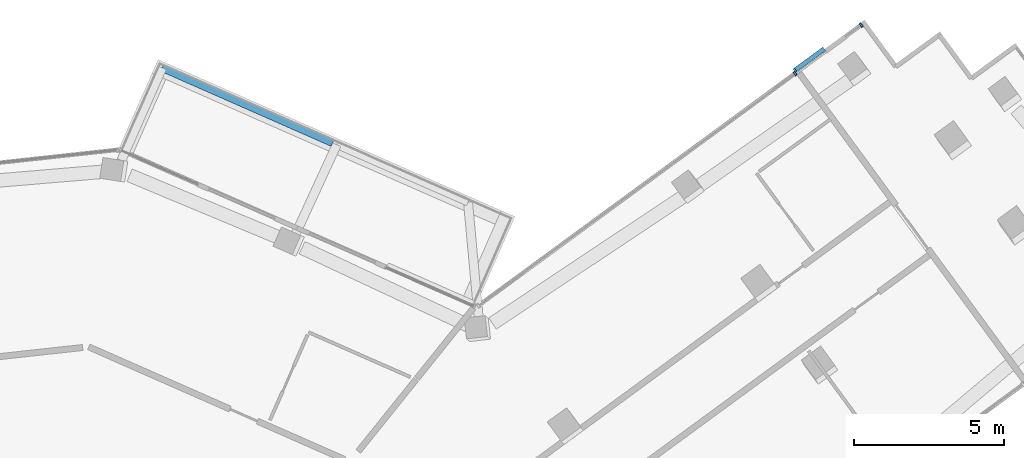
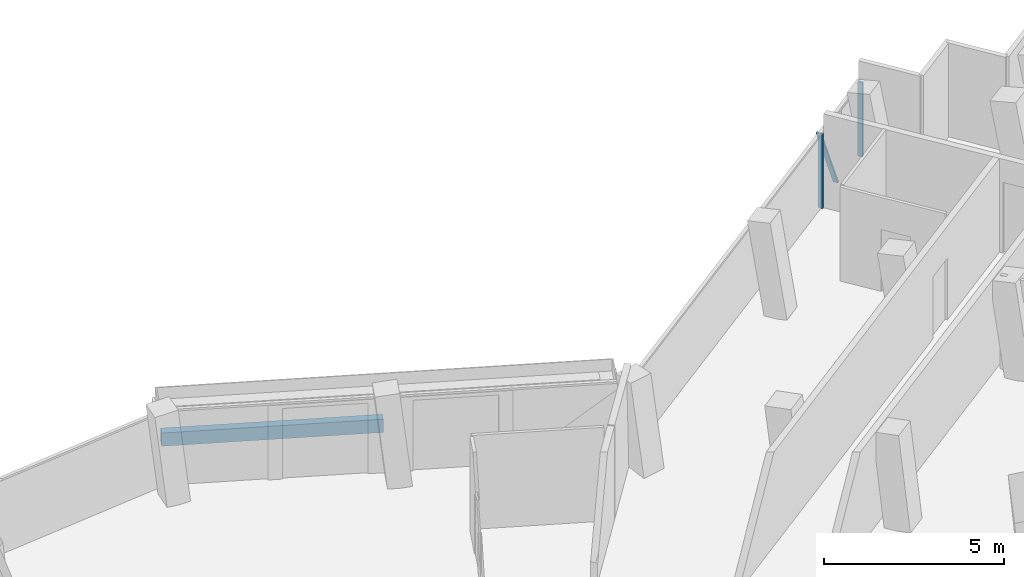
# One storey, part 10 of 24: 3 members, 1 beam, 1 element without a shape of its own.
"""IFC4 building model written with IfcOpenShell, lengths in metres."""

from ifc_helpers import new_model, si_unit, direction, frame, origin, origin_2d, place, context, subcontext, project, spatial, rectangle, extrude, material, layer, layer_set, material_profile, profile_set, type_object, element, aggregate, save


model = new_model("IFC4")

# Units and contexts
model_context = context("Model", 3, precision=1e-05, world=origin(), true_north=direction((0.0, 1.0)))
body_context = subcontext(model_context, "Body", "Model", "MODEL_VIEW")
ifc_project = project(units=[si_unit("LENGTHUNIT", "METRE"), si_unit("AREAUNIT", "SQUARE_METRE"), si_unit("VOLUMEUNIT", "CUBIC_METRE"), si_unit("PLANEANGLEUNIT", "RADIAN"), si_unit("MASSUNIT", "GRAM", prefix="KILO")], contexts=[model_context])

# Site, building, storey
site_placement = place(None, origin())
site = spatial("IfcSite", under=ifc_project, at=site_placement, CompositionType="ELEMENT")
building_placement = place(site_placement, origin())
building = spatial("IfcBuilding", under=site, at=building_placement, Name="Verdalira Terraces Hotel", CompositionType="ELEMENT")
storey_placement = place(building_placement, frame((0.0, 0.0, 303.0)))
storey = spatial("IfcBuildingStorey", under=building, at=storey_placement, Name="L75", CompositionType="ELEMENT", Elevation=303.0)

# Beam
ifc_material_1 = material(Name="Concrete C40", Category="concrete")
ifc_material_profile_1 = material_profile(ifc_material_1, rectangle(XDim=0.25, YDim=0.449951, at=origin_2d()), Name="RC 250X450")
ifc_profile_set_1 = profile_set([ifc_material_profile_1], Name="Concrete C40")
beam_type = type_object("IfcBeamType", Name="Balcony edge beam RC 250X450 C40", PredefinedType="BEAM", material=ifc_profile_set_1)
beam_placement = place(storey_placement, frame((10.932617, 24.969971, -0.534912), z_axis=(-0.915238521, 0.402912458, 0.0), x_axis=(-0.402912458, -0.915238521, 0.0)))
element("IfcBeam", 1, at=beam_placement, inside=storey, type_object=beam_type, Name="Balcony edge beam R39-2", PredefinedType="BEAM", context=body_context, shape_type="SweptSolid", body=[
    extrude(rectangle(XDim=0.25, YDim=0.449951, at=origin_2d()), origin(), (0.0, 0.0, 1.0), 6.212158),
])

# Curtain wall, members
ifc_material_2 = material(Name="Clear glass", Category="glass")
ifc_layer = layer(ifc_material_2, 0.14990234375)
ifc_layer_set = layer_set([ifc_layer], Name="CW2 curtain wall")
curtain_wall_type = type_object("IfcCurtainWallType", Name="CW2 curtain wall", PredefinedType="NOTDEFINED", material=ifc_layer_set)
curtain_wall_placement = place(storey_placement, origin())
curtain_wall = element("IfcCurtainWall", 2, at=curtain_wall_placement, inside=storey, type_object=curtain_wall_type, Name="CW2 curtain wall L75 edge 38", PredefinedType="NOTDEFINED")
ifc_material_3 = material(Name="Terracotta frame", Category="masonry")
ifc_material_profile_2 = material_profile(ifc_material_3, rectangle(XDim=0.070068, YDim=0.149902, at=origin_2d()), Name="MU 70x150")
ifc_profile_set_2 = profile_set([ifc_material_profile_2], Name="Terracotta frame")
member_type_1 = type_object("IfcMemberType", Name="CW2 mullion 70x150", PredefinedType="MULLION", material=ifc_profile_set_2)
member_1_placement = place(storey_placement, frame((28.559326, 28.898926, 0.0), z_axis=(0.0, 0.0, 1.0), x_axis=(-0.806547795, -0.591168888, 0.0)))
member_1 = element("IfcMember", 3, at=member_1_placement, type_object=member_type_1, Name="CW2 mullion", PredefinedType="MULLION", context=body_context, shape_type="SweptSolid", body=[
    extrude(rectangle(XDim=0.070068, YDim=0.149902, at=origin_2d()), origin(), (0.0, 0.0, 1.0), 2.524902),
])
member_2_placement = place(storey_placement, frame((26.353271, 27.281982, 0.0), z_axis=(0.0, 0.0, 1.0), x_axis=(-0.806547795, -0.591168888, 0.0)))
member_2 = element("IfcMember", 4, at=member_2_placement, type_object=member_type_1, Name="CW2 mullion", PredefinedType="MULLION", context=body_context, shape_type="SweptSolid", body=[
    extrude(rectangle(XDim=0.070068, YDim=0.149902, at=origin_2d()), origin(), (0.0, 0.0, 1.0), 2.524902),
])
ifc_material_4 = material(Name="Terracotta frame", Category="masonry")
ifc_material_profile_3 = material_profile(ifc_material_4, rectangle(XDim=0.149902, YDim=0.060059, at=origin_2d()), Name="GB 60x150")
ifc_profile_set_3 = profile_set([ifc_material_profile_3], Name="Terracotta frame")
member_type_2 = type_object("IfcMemberType", Name="Diagonal glazing bar 60x150", PredefinedType="USERDEFINED", material=ifc_profile_set_3)
member_3_placement = place(storey_placement, frame((27.301758, 28.090088, 0.056885), z_axis=(-0.35444203, -0.259851393, 0.898247238), x_axis=(0.591255997, -0.806483941, 0.0)))
member_3 = element("IfcMember", 5, at=member_3_placement, type_object=member_type_2, Name="Diagonal glazing bar", ObjectType="GLAZING BAR", PredefinedType="USERDEFINED", context=body_context, shape_type="SweptSolid", body=[
    extrude(rectangle(XDim=0.149902, YDim=0.060059, at=origin_2d()), origin(), (0.0, 0.0, 1.0), 2.684326),
])
aggregate(curtain_wall, [member_1, member_2, member_3])

save(model, "model.ifc")
